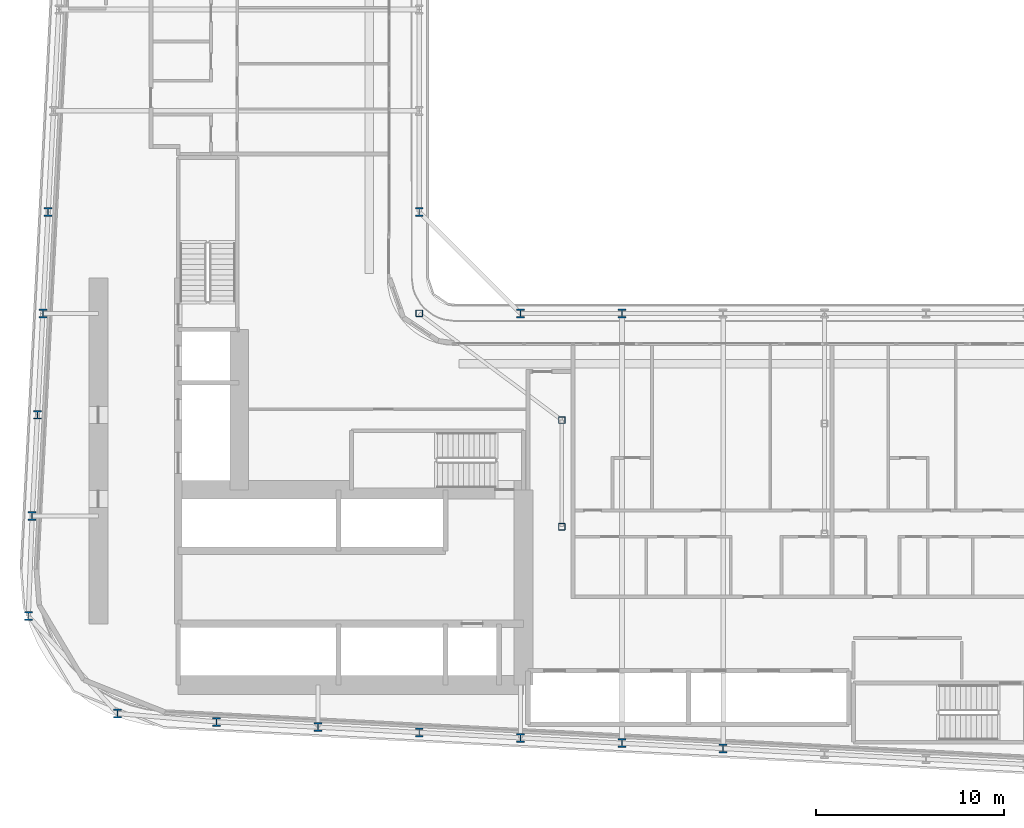
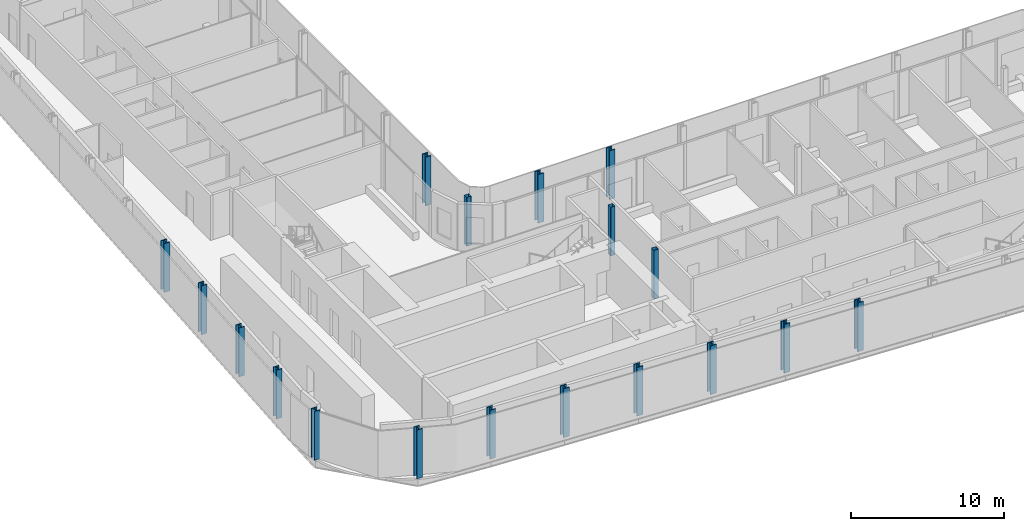
# One storey, part 1 of 25: 18 columns.
"""IFC4 building model written with IfcOpenShell, lengths in metres."""

from ifc_helpers import new_model, si_unit, direction, frame, origin, origin_2d, place, context, subcontext, project, spatial, hollow_rectangle, i_section, extrude, material, material_profile, profile_set, type_object, element, save


model = new_model("IFC4")

# Units and contexts
model_context = context("Model", 3, precision=1e-05, world=origin(), true_north=direction((0.0, 1.0)))
body_context = subcontext(model_context, "Body", "Model", "MODEL_VIEW")
ifc_project = project(units=[si_unit("LENGTHUNIT", "METRE"), si_unit("AREAUNIT", "SQUARE_METRE"), si_unit("VOLUMEUNIT", "CUBIC_METRE"), si_unit("PLANEANGLEUNIT", "RADIAN"), si_unit("MASSUNIT", "GRAM", prefix="KILO")], contexts=[model_context])

# Site, building, storey
site_placement = place(None, origin())
site = spatial("IfcSite", under=ifc_project, at=site_placement, CompositionType="ELEMENT")
building_placement = place(site_placement, origin())
building = spatial("IfcBuilding", under=site, at=building_placement, Name="Kheshtan School and Residences Tower", CompositionType="ELEMENT")
storey_placement = place(building_placement, frame((0.0, 0.0, 34.39990234375)))
storey = spatial("IfcBuildingStorey", under=building, at=storey_placement, Name="L07", CompositionType="ELEMENT", Elevation=34.39990234375)

# Columns
ifc_material_1 = material(Name="Steel ASTM A992 Grade 50", Category="steel")
ifc_material_profile_1 = material_profile(ifc_material_1, i_section(OverallWidth=0.424072265625, OverallDepth=0.47412109375, WebThickness=0.047607421875, FlangeThickness=0.0771484375, FilletRadius=0.01416015625, at=origin_2d()), Name="W360x634")
ifc_profile_set_1 = profile_set([ifc_material_profile_1], Name="Steel ASTM A992 Grade 50")
column_type_1 = type_object("IfcColumnType", Name="Column C1 W360x634 ASTM A992 Grade 50", PredefinedType="COLUMN", material=ifc_profile_set_1)
for number, where, z_axis, x_axis, name in (
    (1, (63.800048828125, 22.410888671875, 0.0), (0.0, 0.0, 1.0), (1.0, 0.0, 0.0), "Column C016"),
    (2, (58.39990234375, 22.695068359375, 0.0), (0.0, 0.0, 1.0), (1.0, 0.0, 0.0), "Column C018"),
    (3, (53.0, 22.97998046875, 0.0), (0.0, 0.0, 1.0), (1.0, 0.0, 0.0), "Column C019"),
    (4, (47.60009765625, 23.263916015625, 0.0), (0.0, 0.0, 1.0), (1.0, 0.0, 0.0), "Column C020"),
    (5, (42.199951171875, 23.548095703125, 0.0), (0.0, 0.0, 1.0), (1.0, 0.0, 0.0), "Column C021"),
    (6, (36.800048828125, 23.83203125, 0.0), (0.0, 0.0, 1.0), (1.0, 0.0, 0.0), "Column C022"),
    (7, (31.52197265625, 24.27490234375, 0.0), (0.0, 0.0, 1.0), (1.0, 0.0, 0.0), "Column C028"),
    (8, (26.761962890625, 29.464111328125, 0.0), (0.0, 0.0, 1.0), (1.0, 0.0, 0.0), "Column C041"),
    (9, (26.968994140625, 34.800048828125, 0.0), (0.0, 0.0, 1.0), (1.0, 0.0, 0.0), "Column C052"),
    (10, (27.2529296875, 40.199951171875, 0.0), (0.0, 0.0, 1.0), (1.0, 0.0, 0.0), "Column C056"),
    (11, (27.537109375, 45.60009765625, 0.0), (0.0, 0.0, 1.0), (1.0, 0.0, 0.0), "Column C059"),
    (12, (53.0, 45.60009765625, 0.0), (0.0, 0.0, 1.0), (1.0, 0.0, 0.0), "Column C061"),
    (13, (58.39990234375, 45.60009765625, 0.0), (0.0, 0.0, 1.0), (1.0, 0.0, 0.0), "Column C062"),
    (14, (27.822021484375, 51.0, 0.0), (0.0, 0.0, 1.0), (1.0, 0.0, 0.0), "Column C078"),
    (15, (47.60009765625, 51.0, 0.0), (0.0, 0.0, 1.0), (1.0, 0.0, 0.0), "Column C079"),
):
    element("IfcColumn", number, at=place(storey_placement, frame(where, z_axis=z_axis, x_axis=x_axis)), inside=storey, type_object=column_type_1, Name=name, PredefinedType="COLUMN", context=body_context, shape_type="SweptSolid", body=[
        extrude(i_section(OverallWidth=0.424072265625, OverallDepth=0.47412109375, WebThickness=0.047607421875, FlangeThickness=0.0771484375, FilletRadius=0.01416015625, at=origin_2d()), origin(), (0.0, 0.0, 1.0), 3.900146484375),
    ])
ifc_material_2 = material(Name="Steel ASTM A500 Grade C", Category="steel")
ifc_material_profile_2 = material_profile(ifc_material_2, hollow_rectangle(XDim=0.35595703125, YDim=0.35595703125, WallThickness=0.015869140625, InnerFilletRadius=0.015869140625, OuterFilletRadius=0.03173828125, at=origin_2d()), Name="HSS 356x356x15.9")
ifc_profile_set_2 = profile_set([ifc_material_profile_2], Name="Steel ASTM A500 Grade C")
column_type_2 = type_object("IfcColumnType", Name="Column IC1 HSS 356x356x15.9 ASTM A500 Grade C", PredefinedType="COLUMN", material=ifc_profile_set_2)
for number, where, z_axis, x_axis, name in (
    (16, (55.199951171875, 34.23193359375, 0.0), (0.0, 0.0, 1.0), (1.0, 0.0, 0.0), "Column C051"),
    (17, (55.199951171875, 39.916015625, 0.0), (0.0, 0.0, 1.0), (1.0, 0.0, 0.0), "Column C055"),
    (18, (47.60009765625, 45.60009765625, 0.0), (0.0, 0.0, 1.0), (1.0, 0.0, 0.0), "Column C060"),
):
    element("IfcColumn", number, at=place(storey_placement, frame(where, z_axis=z_axis, x_axis=x_axis)), inside=storey, type_object=column_type_2, Name=name, PredefinedType="COLUMN", context=body_context, shape_type="SweptSolid", body=[
        extrude(hollow_rectangle(XDim=0.35595703125, YDim=0.35595703125, WallThickness=0.015869140625, InnerFilletRadius=0.015869140625, OuterFilletRadius=0.03173828125, at=origin_2d()), origin(), (0.0, 0.0, 1.0), 3.900146484375),
    ])

save(model, "model.ifc")
